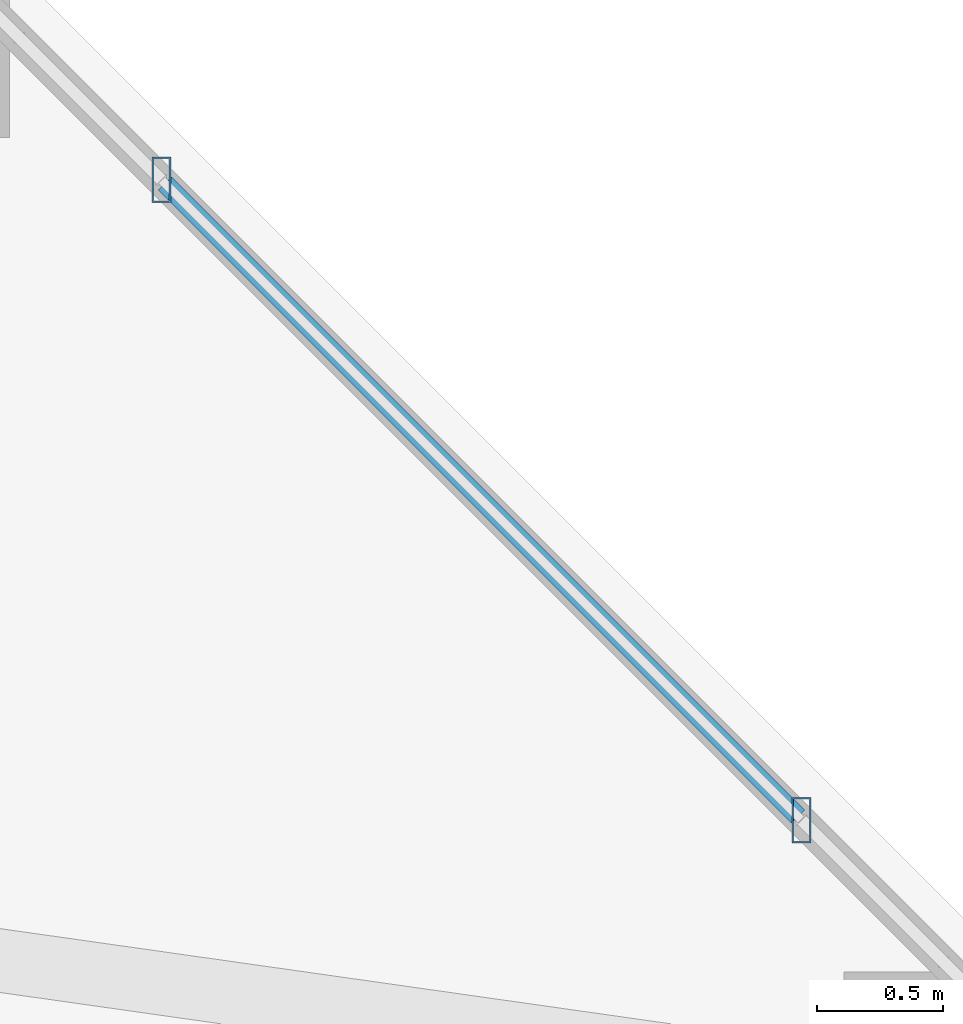
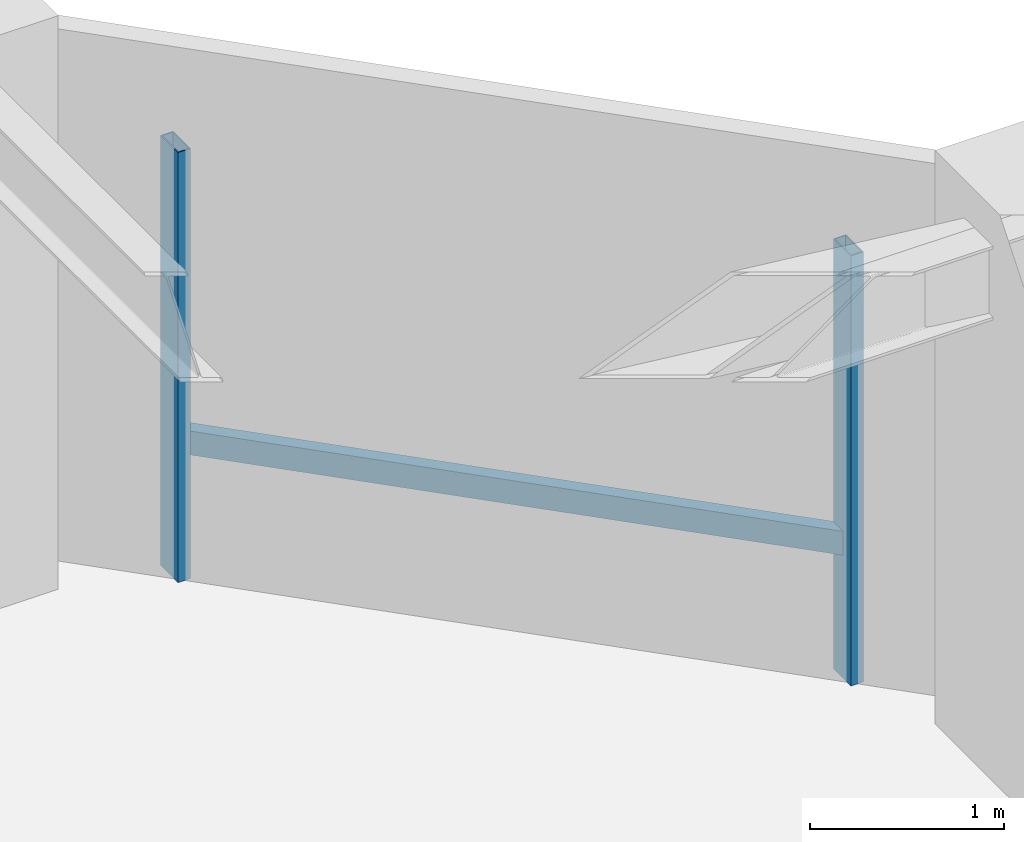
# One storey, part 9 of 32: 3 members, 1 element without a shape of its own.
"""IFC4 building model written with IfcOpenShell, lengths in metres."""

from ifc_helpers import new_model, si_unit, direction, frame, origin, origin_2d, place, context, subcontext, project, spatial, hollow_rectangle, extrude, material, material_profile, profile_set, type_object, element, aggregate, save


model = new_model("IFC4")

# Units and contexts
model_context = context("Model", 3, precision=1e-05, world=origin(), true_north=direction((0.0, 1.0)))
body_context = subcontext(model_context, "Body", "Model", "MODEL_VIEW")
ifc_project = project(units=[si_unit("LENGTHUNIT", "METRE"), si_unit("AREAUNIT", "SQUARE_METRE"), si_unit("VOLUMEUNIT", "CUBIC_METRE"), si_unit("PLANEANGLEUNIT", "RADIAN"), si_unit("MASSUNIT", "GRAM", prefix="KILO")], contexts=[model_context])

# Site, building, storey
site_placement = place(None, origin())
site = spatial("IfcSite", under=ifc_project, at=site_placement, CompositionType="ELEMENT")
building_placement = place(site_placement, origin())
building = spatial("IfcBuilding", under=site, at=building_placement, Name="Thornwick Lancets Civic Towers", CompositionType="ELEMENT")
storey_placement = place(building_placement, frame((0.0, 0.0, 247.5)))
storey = spatial("IfcBuildingStorey", under=building, at=storey_placement, Name="L66", CompositionType="ELEMENT", Elevation=247.5)

# Curtain wall, members
ifc_material_1 = material(Name="High-zone chamfered-corner unitised glass curtain wall", Category="glass")
curtain_wall_type = type_object("IfcCurtainWallType", Name="CW_SYS_05", PredefinedType="NOTDEFINED", material=ifc_material_1)
curtain_wall_placement = place(storey_placement, origin())
curtain_wall = element("IfcCurtainWall", 1, at=curtain_wall_placement, inside=storey, type_object=curtain_wall_type, Name="L66 Curtain Wall CW-L66-A-E3", PredefinedType="NOTDEFINED")
ifc_material_2 = material(Name="Thermally broken bronze aluminium S355", Category="steel")
ifc_material_profile_1 = material_profile(ifc_material_2, hollow_rectangle(XDim=0.074951171875, YDim=0.179931640625, WallThickness=0.006103515625, at=origin_2d()), Name="RHS 180x75x6")
ifc_profile_set_1 = profile_set([ifc_material_profile_1], Name="Thermally broken bronze aluminium S355")
member_type_1 = type_object("IfcMemberType", Name="CW_MUL_180", PredefinedType="MULLION", material=ifc_profile_set_1)
member_1_placement = place(storey_placement, frame((42.13232421875, 41.10009765625, 0.0), z_axis=(0.0, 0.0, 1.0), x_axis=(1.0, 0.0, 0.0)))
member_1 = element("IfcMember", 2, at=member_1_placement, type_object=member_type_1, Name="CW-L66-A-E3 Mullion 0", PredefinedType="MULLION", context=body_context, shape_type="SweptSolid", body=[
    extrude(hollow_rectangle(XDim=0.074951171875, YDim=0.179931640625, WallThickness=0.006103515625, at=origin_2d()), origin(), (0.0, 0.0, 1.0), 2.699951171875),
])
member_2_placement = place(storey_placement, frame((39.60009765625, 43.63232421875, 0.0), z_axis=(0.0, 0.0, 1.0), x_axis=(1.0, 0.0, 0.0)))
member_2 = element("IfcMember", 3, at=member_2_placement, type_object=member_type_1, Name="CW-L66-A-E3 Mullion 1", PredefinedType="MULLION", context=body_context, shape_type="SweptSolid", body=[
    extrude(hollow_rectangle(XDim=0.074951171875, YDim=0.179931640625, WallThickness=0.006103515625, at=origin_2d()), origin(), (0.0, 0.0, 1.0), 2.699951171875),
])
ifc_material_profile_2 = material_profile(ifc_material_2, hollow_rectangle(XDim=0.074951171875, YDim=0.14990234375, WallThickness=0.0048828125, at=origin_2d()), Name="RHS 150x75x5")
ifc_profile_set_2 = profile_set([ifc_material_profile_2], Name="Thermally broken bronze aluminium S355")
member_type_2 = type_object("IfcMemberType", Name="CW_TRN_150", PredefinedType="USERDEFINED", material=ifc_profile_set_2)
member_3_placement = place(storey_placement, frame((42.118408203125, 41.1142578125, 0.85009765625), z_axis=(-0.707106781187, 0.707106781187, 0.0), x_axis=(-0.707106781187, -0.707106781187, 0.0)))
member_3 = element("IfcMember", 4, at=member_3_placement, type_object=member_type_2, Name="CW-L66-A-E3 Transom 0", ObjectType="TRANSOM", PredefinedType="USERDEFINED", context=body_context, shape_type="SweptSolid", body=[
    extrude(hollow_rectangle(XDim=0.074951171875, YDim=0.14990234375, WallThickness=0.0048828125, at=origin_2d()), origin(), (0.0, 0.0, 1.0), 3.54150390625),
])
aggregate(curtain_wall, [member_1, member_2, member_3])

save(model, "model.ifc")
